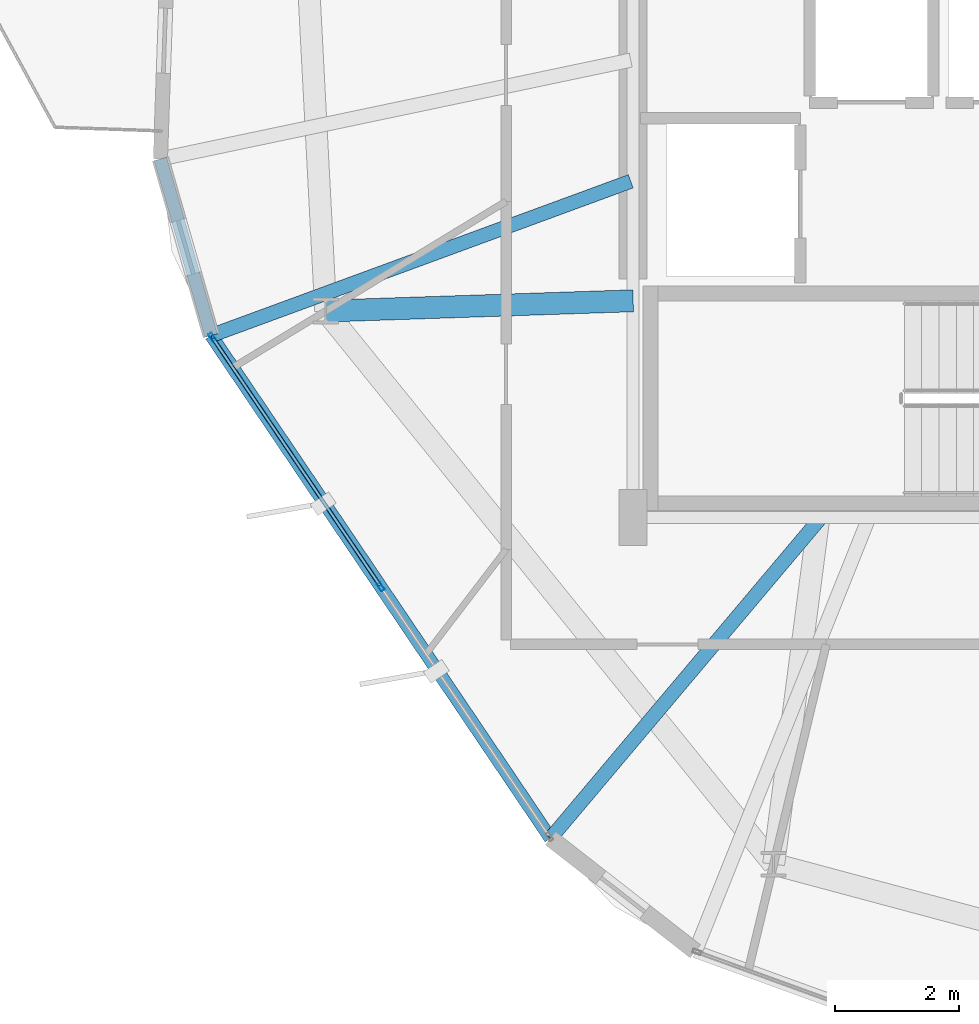
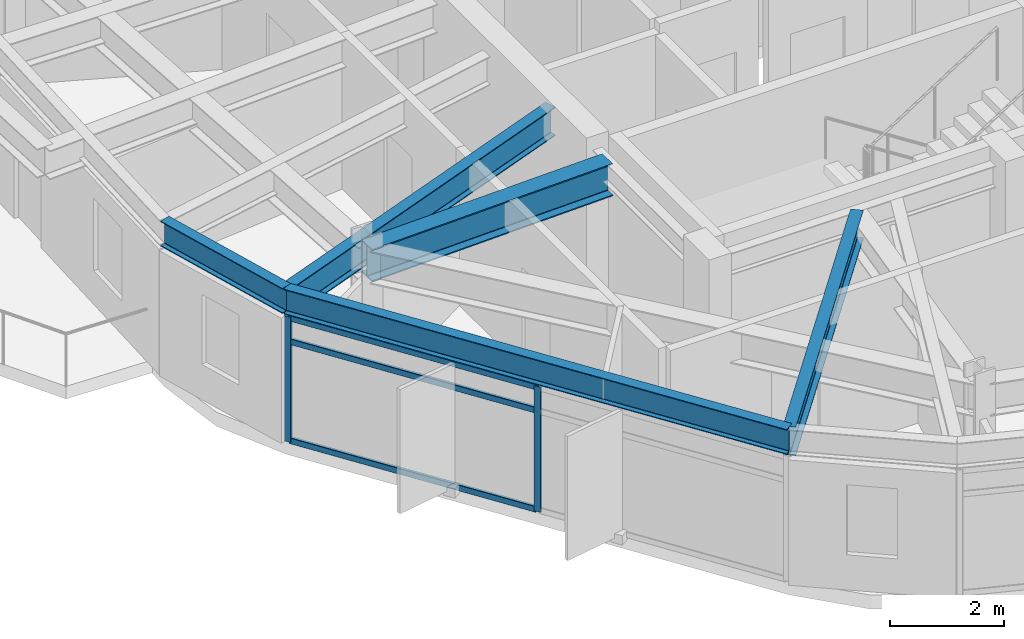
# One storey, part 3 of 30: 5 beams, 5 members, 1 element without a shape of its own.
"""IFC4 building model written with IfcOpenShell, lengths in metres."""

from ifc_helpers import new_model, si_unit, direction, frame, origin, origin_2d, place, context, subcontext, project, spatial, hollow_rectangle, i_section, extrude, material, layer, layer_set, material_profile, profile_set, type_object, element, aggregate, save


model = new_model("IFC4")

# Units and contexts
model_context = context("Model", 3, precision=1e-05, world=origin(), true_north=direction((0.0, 1.0)))
body_context = subcontext(model_context, "Body", "Model", "MODEL_VIEW")
ifc_project = project(units=[si_unit("LENGTHUNIT", "METRE"), si_unit("AREAUNIT", "SQUARE_METRE"), si_unit("VOLUMEUNIT", "CUBIC_METRE"), si_unit("PLANEANGLEUNIT", "RADIAN"), si_unit("MASSUNIT", "GRAM", prefix="KILO")], contexts=[model_context])

# Site, building, storey
site_placement = place(None, origin())
site = spatial("IfcSite", under=ifc_project, at=site_placement, CompositionType="ELEMENT")
building_placement = place(site_placement, origin())
building = spatial("IfcBuilding", under=site, at=building_placement, Name="Soratama Intermodal Tower", CompositionType="ELEMENT")
storey_placement = place(building_placement, frame((0.0, 0.0, 223.0)))
storey = spatial("IfcBuildingStorey", under=building, at=storey_placement, Name="L56", CompositionType="ELEMENT", Elevation=223.0)

# Beams
ifc_material_1 = material(Name="Structural steel ASTM A992 Grade 50", Category="steel")
ifc_material_profile_1 = material_profile(ifc_material_1, i_section(OverallWidth=0.35498046875, OverallDepth=0.695068359375, WebThickness=0.015380859375, FlangeThickness=0.02490234375, FilletRadius=0.01611328125, at=origin_2d()), Name="W27X146")
ifc_profile_set_1 = profile_set([ifc_material_profile_1], Name="Structural steel ASTM A992 Grade 50")
beam_type_1 = type_object("IfcBeamType", Name="BM-RING-W27X146", PredefinedType="BEAM", material=ifc_profile_set_1)
beam_1_placement = place(storey_placement, frame((32.60009765625, 18.5, 2.952392578125), z_axis=(-0.999441465401, -0.033417917907, 0.0), x_axis=(0.033417917907, -0.999441465401, 0.0)))
element("IfcBeam", 1, at=beam_1_placement, inside=storey, type_object=beam_type_1, Name="BM-L56-RAD-06", PredefinedType="BEAM", context=body_context, shape_type="SweptSolid", body=[
    extrude(i_section(OverallWidth=0.35498046875, OverallDepth=0.695068359375, WebThickness=0.015380859375, FlangeThickness=0.02490234375, FilletRadius=0.01611328125, at=origin_2d()), origin(), (0.0, 0.0, 1.0), 4.9677734375),
])
ifc_material_2 = material(Name="Structural steel ASTM A992 Grade 50", Category="steel")
ifc_material_profile_2 = material_profile(ifc_material_2, i_section(OverallWidth=0.2099609375, OverallDepth=0.537109375, WebThickness=0.010986328125, FlangeThickness=0.017333984375, FilletRadius=0.012939453125, at=origin_2d()), Name="W21X68")
ifc_profile_set_2 = profile_set([ifc_material_profile_2], Name="Structural steel ASTM A992 Grade 50")
beam_type_2 = type_object("IfcBeamType", Name="BM-SPN-W21X68", PredefinedType="SPANDREL", material=ifc_profile_set_2)
beam_2_placement = place(storey_placement, frame((24.965087890625, 20.791015625, 3.031494140625), z_axis=(0.27595972404, -0.961169199833, 0.0), x_axis=(0.961169199833, 0.27595972404, 0.0)))
element("IfcBeam", 2, at=beam_2_placement, inside=storey, type_object=beam_type_2, Name="BS-L56-CRN04", PredefinedType="SPANDREL", context=body_context, shape_type="SweptSolid", body=[
    extrude(i_section(OverallWidth=0.2099609375, OverallDepth=0.537109375, WebThickness=0.010986328125, FlangeThickness=0.017333984375, FilletRadius=0.012939453125, at=origin_2d()), origin(), (0.0, 0.0, 1.0), 2.96728515625),
])
beam_3_placement = place(storey_placement, frame((25.783935546875, 17.93896484375, 3.031494140625), z_axis=(0.559561444022, -0.828788869594, 0.0), x_axis=(0.828788869594, 0.559561444022, 0.0)))
element("IfcBeam", 3, at=beam_3_placement, inside=storey, type_object=beam_type_2, Name="BS-L56-F05", PredefinedType="SPANDREL", context=body_context, shape_type="SweptSolid", body=[
    extrude(i_section(OverallWidth=0.2099609375, OverallDepth=0.537109375, WebThickness=0.010986328125, FlangeThickness=0.017333984375, FilletRadius=0.012939453125, at=origin_2d()), origin(), (0.0, 0.0, 1.0), 9.79736328125),
])
ifc_material_3 = material(Name="Structural steel ASTM A992 Grade 50", Category="steel")
ifc_material_profile_3 = material_profile(ifc_material_3, i_section(OverallWidth=0.22900390625, OverallDepth=0.612060546875, WebThickness=0.011962890625, FlangeThickness=0.01953125, FilletRadius=0.012939453125, at=origin_2d()), Name="W24X84")
ifc_profile_set_3 = profile_set([ifc_material_profile_3], Name="Structural steel ASTM A992 Grade 50")
beam_type_3 = type_object("IfcBeamType", Name="BM-TIE-W24X84", PredefinedType="BEAM", material=ifc_profile_set_3)
beam_4_placement = place(storey_placement, frame((32.56201171875, 20.429931640625, 2.993896484375), z_axis=(-0.938622183119, -0.344946948614, 0.0), x_axis=(0.344946948614, -0.938622183119, 0.0)))
element("IfcBeam", 4, at=beam_4_placement, inside=storey, type_object=beam_type_3, Name="BM-L56-TIE0-05", PredefinedType="BEAM", context=body_context, shape_type="SweptSolid", body=[
    extrude(i_section(OverallWidth=0.22900390625, OverallDepth=0.612060546875, WebThickness=0.011962890625, FlangeThickness=0.01953125, FilletRadius=0.012939453125, at=origin_2d()), origin(), (0.0, 0.0, 1.0), 7.22119140625),
])
beam_5_placement = place(storey_placement, frame((35.60791015625, 14.968994140625, 2.993896484375), z_axis=(-0.644573159769, -0.764542635636, 0.0), x_axis=(0.764542635636, -0.644573159769, 0.0)))
element("IfcBeam", 5, at=beam_5_placement, inside=storey, type_object=beam_type_3, Name="BM-L56-TIE1-05", PredefinedType="BEAM", context=body_context, shape_type="SweptSolid", body=[
    extrude(i_section(OverallWidth=0.22900390625, OverallDepth=0.612060546875, WebThickness=0.011962890625, FlangeThickness=0.01953125, FilletRadius=0.012939453125, at=origin_2d()), origin(), (0.0, 0.0, 1.0), 6.73583984375),
])

# Curtain wall, members
ifc_material_4 = material(Name="Double-glazed aluminium curtain wall", Category="aluminium")
ifc_layer = layer(ifc_material_4, 0.159912109375)
ifc_layer_set = layer_set([ifc_layer], Name="Double-glazed aluminium curtain wall")
curtain_wall_type = type_object("IfcCurtainWallType", Name="CW-SYS-5", PredefinedType="NOTDEFINED", material=ifc_layer_set)
curtain_wall_placement = place(storey_placement, origin())
curtain_wall = element("IfcCurtainWall", 6, at=curtain_wall_placement, inside=storey, type_object=curtain_wall_type, Name="L56 Faceted Curtain Wall F05", PredefinedType="NOTDEFINED")
ifc_material_5 = material(Name="Anodised aluminium AA 6063-T6", Category="aluminium")
ifc_material_profile_4 = material_profile(ifc_material_5, hollow_rectangle(XDim=0.06494140625, YDim=0.139892578125, WallThickness=0.0048828125, InnerFilletRadius=0.0048828125, OuterFilletRadius=0.010009765625, at=origin_2d()), Name="CWM140X65X5")
ifc_profile_set_4 = profile_set([ifc_material_profile_4], Name="Anodised aluminium AA 6063-T6")
member_type_1 = type_object("IfcMemberType", Name="MT-CWM-5", PredefinedType="MULLION", material=ifc_profile_set_4)
member_1_placement = place(storey_placement, frame((25.801025390625, 17.91455078125, 0.0), z_axis=(0.0, 0.0, 1.0), x_axis=(0.828842639505, 0.559481795001, 0.0)))
member_1 = element("IfcMember", 7, at=member_1_placement, type_object=member_type_1, Name="CW-5 mullion 1", PredefinedType="MULLION", context=body_context, shape_type="SweptSolid", body=[
    extrude(hollow_rectangle(XDim=0.06494140625, YDim=0.139892578125, WallThickness=0.0048828125, InnerFilletRadius=0.0048828125, OuterFilletRadius=0.010009765625, at=origin_2d()), origin(), (0.0, 0.0, 1.0), 2.678955078125),
])
member_2_placement = place(storey_placement, frame((28.52490234375, 13.879150390625, 0.0), z_axis=(0.0, 0.0, 1.0), x_axis=(0.828842639505, 0.559481795001, 0.0)))
member_2 = element("IfcMember", 8, at=member_2_placement, type_object=member_type_1, Name="CW-5 mullion 2", PredefinedType="MULLION", context=body_context, shape_type="SweptSolid", body=[
    extrude(hollow_rectangle(XDim=0.06494140625, YDim=0.139892578125, WallThickness=0.0048828125, InnerFilletRadius=0.0048828125, OuterFilletRadius=0.010009765625, at=origin_2d()), origin(), (0.0, 0.0, 1.0), 2.678955078125),
])
ifc_material_6 = material(Name="Anodised aluminium AA 6063-T6", Category="aluminium")
ifc_material_profile_5 = material_profile(ifc_material_6, hollow_rectangle(XDim=0.06005859375, YDim=0.1298828125, WallThickness=0.0048828125, InnerFilletRadius=0.0048828125, OuterFilletRadius=0.010009765625, at=origin_2d()), Name="CWT130X60X5")
ifc_profile_set_5 = profile_set([ifc_material_profile_5], Name="Anodised aluminium AA 6063-T6")
member_type_2 = type_object("IfcMemberType", Name="TT-CWT-2", PredefinedType="USERDEFINED", material=ifc_profile_set_5)
member_3_placement = place(storey_placement, frame((25.81787109375, 17.8896484375, 0.030029296875), z_axis=(0.559494654224, -0.828833959183, 0.0), x_axis=(0.828833959183, 0.559494654224, 0.0)))
member_3 = element("IfcMember", 9, at=member_3_placement, type_object=member_type_2, Name="CW-5 transom 1.1", ObjectType="TRANSOM", PredefinedType="USERDEFINED", context=body_context, shape_type="SweptSolid", body=[
    extrude(hollow_rectangle(XDim=0.06005859375, YDim=0.1298828125, WallThickness=0.0048828125, InnerFilletRadius=0.0048828125, OuterFilletRadius=0.010009765625, at=origin_2d()), origin(), (0.0, 0.0, 1.0), 4.80859375),
])
member_4_placement = place(storey_placement, frame((25.81787109375, 17.8896484375, 2.14990234375), z_axis=(0.559494654224, -0.828833959183, 0.0), x_axis=(0.828833959183, 0.559494654224, 0.0)))
member_4 = element("IfcMember", 10, at=member_4_placement, type_object=member_type_2, Name="CW-5 transom 1.2", ObjectType="TRANSOM", PredefinedType="USERDEFINED", context=body_context, shape_type="SweptSolid", body=[
    extrude(hollow_rectangle(XDim=0.06005859375, YDim=0.1298828125, WallThickness=0.0048828125, InnerFilletRadius=0.0048828125, OuterFilletRadius=0.010009765625, at=origin_2d()), origin(), (0.0, 0.0, 1.0), 4.80859375),
])
member_5_placement = place(storey_placement, frame((25.81787109375, 17.8896484375, 2.64892578125), z_axis=(0.559494654224, -0.828833959183, 0.0), x_axis=(0.828833959183, 0.559494654224, 0.0)))
member_5 = element("IfcMember", 11, at=member_5_placement, type_object=member_type_2, Name="CW-5 transom 1.3", ObjectType="TRANSOM", PredefinedType="USERDEFINED", context=body_context, shape_type="SweptSolid", body=[
    extrude(hollow_rectangle(XDim=0.06005859375, YDim=0.1298828125, WallThickness=0.0048828125, InnerFilletRadius=0.0048828125, OuterFilletRadius=0.010009765625, at=origin_2d()), origin(), (0.0, 0.0, 1.0), 4.80859375),
])
aggregate(curtain_wall, [member_1, member_2, member_3, member_4, member_5])

save(model, "model.ifc")
